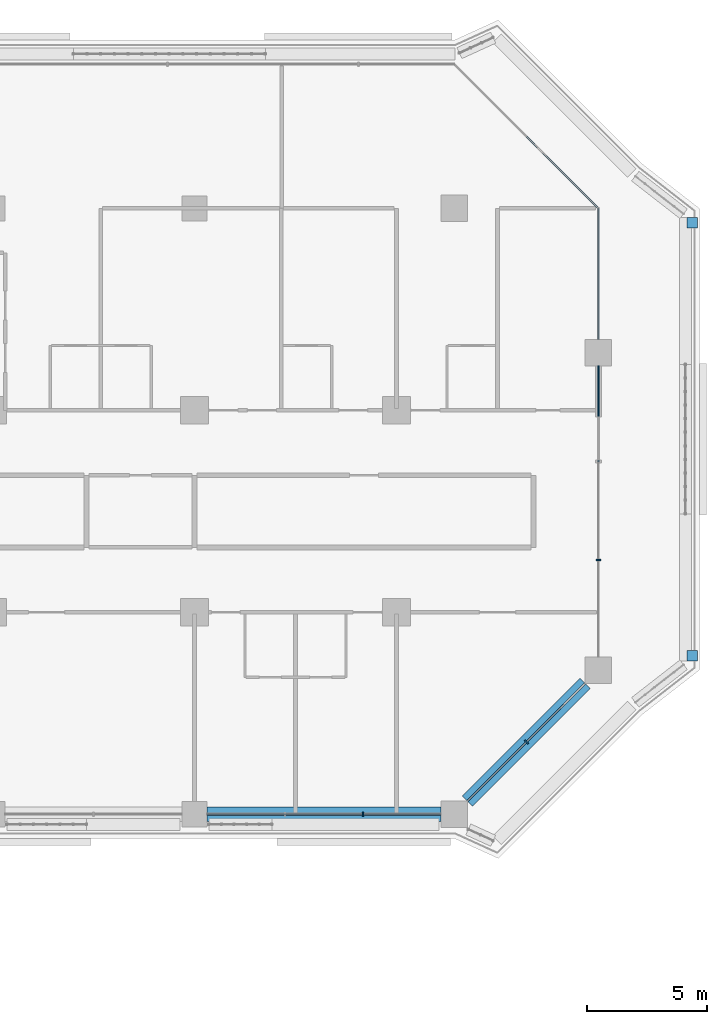
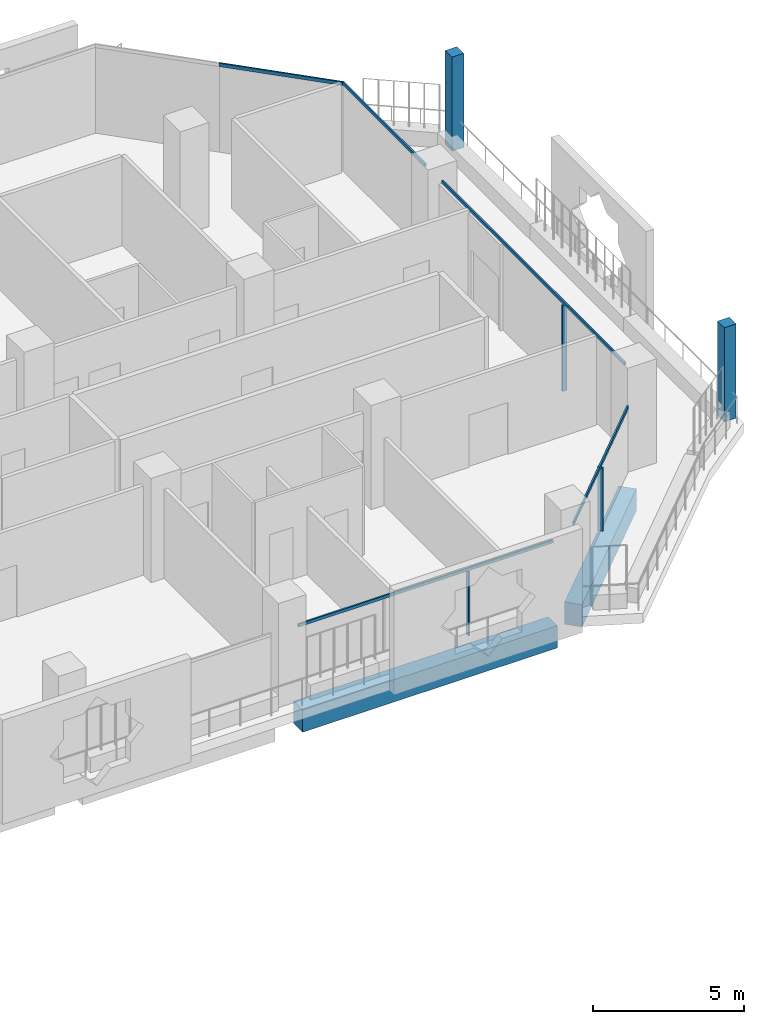
# One storey, part 7 of 25: 10 members, 2 beams, 5 elements without a shape of their own.
"""IFC4 building model written with IfcOpenShell, lengths in metres."""

from ifc_helpers import new_model, si_unit, direction, frame, origin, origin_2d, place, context, subcontext, project, spatial, rectangle, extrude, material, layer, layer_set, material_profile, profile_set, type_object, element, aggregate, save


model = new_model("IFC4")

# Units and contexts
model_context = context("Model", 3, precision=1e-05, world=origin(), true_north=direction((0.0, 1.0)))
body_context = subcontext(model_context, "Body", "Model", "MODEL_VIEW")
ifc_project = project(units=[si_unit("LENGTHUNIT", "METRE"), si_unit("AREAUNIT", "SQUARE_METRE"), si_unit("VOLUMEUNIT", "CUBIC_METRE"), si_unit("PLANEANGLEUNIT", "RADIAN"), si_unit("MASSUNIT", "GRAM", prefix="KILO")], contexts=[model_context])

# Site, building, storey
site_placement = place(None, origin())
site = spatial("IfcSite", under=ifc_project, at=site_placement, CompositionType="ELEMENT")
building_placement = place(site_placement, origin())
building = spatial("IfcBuilding", under=site, at=building_placement, Name="Kawkab Arch Medical Tower", CompositionType="ELEMENT")
storey_placement = place(building_placement, frame((0.0, 0.0, 128.199951171875)))
storey = spatial("IfcBuildingStorey", under=building, at=storey_placement, Name="L29", CompositionType="ELEMENT", Elevation=128.199951171875)

# Curtain wall, member
ifc_material_1 = material(Name="Bronze anodised aluminium curtain wall frame", Category="aluminium")
ifc_layer_1 = layer(ifc_material_1, 0.159912109375)
ifc_layer_set_1 = layer_set([ifc_layer_1], Name="Bronze anodised aluminium curtain wall frame")
curtain_wall_type_1 = type_object("IfcCurtainWallType", Name="CW1 ward curtain wall", PredefinedType="NOTDEFINED", material=ifc_layer_set_1)
placement = place(storey_placement, origin())
curtain_wall_1 = element("IfcCurtainWall", 1, at=placement, inside=storey, type_object=curtain_wall_type_1, Name="CW1 Ward curtain wall R07", PredefinedType="NOTDEFINED")
ifc_material_2 = material(Name="Bronze anodised aluminium curtain wall frame", Category="aluminium")
ifc_material_profile_1 = material_profile(ifc_material_2, rectangle(XDim=0.179931640625, YDim=0.06005859375, at=origin_2d()), Name="AL 60x180")
ifc_profile_set_1 = profile_set([ifc_material_profile_1], Name="Bronze anodised aluminium curtain wall frame")
member_type_1 = type_object("IfcMemberType", Name="CW1 mullion 60 x 180", PredefinedType="MULLION", material=ifc_profile_set_1)
member_1_placement = place(storey_placement, frame((65.808349609375, -25.199951171875, 0.0), z_axis=(0.0, 0.0, 1.0), x_axis=(0.0, 1.0, 0.0)))
member_1 = element("IfcMember", 2, at=member_1_placement, type_object=member_type_1, Name="CW1 mullion 4.2", PredefinedType="MULLION", context=body_context, shape_type="SweptSolid", body=[
    extrude(rectangle(XDim=0.179931640625, YDim=0.06005859375, at=origin_2d()), origin(), (0.0, 0.0, 1.0), 2.580078125),
])

curtain_wall_2 = element("IfcCurtainWall", 3, at=placement, inside=storey, type_object=curtain_wall_type_1, Name="CW1 Ward curtain wall R09", PredefinedType="NOTDEFINED")
member_2_placement = place(storey_placement, frame((75.60009765625, -14.61669921875, 0.0), z_axis=(0.0, 0.0, 1.0), x_axis=(-1.0, 0.0, 0.0)))
member_2 = element("IfcMember", 4, at=member_2_placement, type_object=member_type_1, Name="CW1 mullion 1.1", PredefinedType="MULLION", context=body_context, shape_type="SweptSolid", body=[
    extrude(rectangle(XDim=0.179931640625, YDim=0.06005859375, at=origin_2d()), origin(), (0.0, 0.0, 1.0), 3.47998046875),
])

# Member
ifc_material_3 = material(Name="Bronze anodised aluminium curtain wall frame", Category="aluminium")
ifc_material_profile_2 = material_profile(ifc_material_3, rectangle(XDim=0.06005859375, YDim=0.1201171875, at=origin_2d()), Name="AL 60x120")
ifc_profile_set_2 = profile_set([ifc_material_profile_2], Name="Bronze anodised aluminium curtain wall frame")
member_type_2 = type_object("IfcMemberType", Name="CW1 transom 120 x 60", PredefinedType="USERDEFINED", material=ifc_profile_set_2)
member_3_placement = place(storey_placement, frame((59.324951171875, -25.199951171875, 2.64013671875), z_axis=(1.0, 0.0, 0.0), x_axis=(0.0, 1.0, 0.0)))
member_3 = element("IfcMember", 5, at=member_3_placement, type_object=member_type_2, Name="CW1 transom 4", ObjectType="TRANSOM", PredefinedType="USERDEFINED", context=body_context, shape_type="SweptSolid", body=[
    extrude(rectangle(XDim=0.06005859375, YDim=0.1201171875, at=origin_2d()), origin(), (0.0, 0.0, 1.0), 9.72509765625),
])

aggregate(curtain_wall_1, [member_3, member_1])

member_4_placement = place(storey_placement, frame((75.60009765625, -18.64990234375, 3.5400390625), z_axis=(0.0, 1.0, 0.0), x_axis=(-1.0, 0.0, 0.0)))
member_4 = element("IfcMember", 6, at=member_4_placement, type_object=member_type_2, Name="CW1 transom 1", ObjectType="TRANSOM", PredefinedType="USERDEFINED", context=body_context, shape_type="SweptSolid", body=[
    extrude(rectangle(XDim=0.06005859375, YDim=0.1201171875, at=origin_2d()), origin(), (0.0, 0.0, 1.0), 12.099853515625),
])

member_5_placement = place(storey_placement, frame((75.60009765625, -5.449951171875, 3.5400390625), z_axis=(0.0, 1.0, 0.0), x_axis=(-1.0, 0.0, 0.0)))
member_5 = element("IfcMember", 7, at=member_5_placement, type_object=member_type_2, Name="CW1 transom 2", ObjectType="TRANSOM", PredefinedType="USERDEFINED", context=body_context, shape_type="SweptSolid", body=[
    extrude(rectangle(XDim=0.06005859375, YDim=0.1201171875, at=origin_2d()), origin(), (0.0, 0.0, 1.0), 5.449951171875),
])

aggregate(curtain_wall_2, [member_4, member_2, member_5])

# Curtain wall, members
ifc_material_4 = material(Name="Bronze anodised aluminium curtain wall frame", Category="aluminium")
ifc_layer_2 = layer(ifc_material_4, 0.159912109375)
ifc_layer_set_2 = layer_set([ifc_layer_2], Name="Bronze anodised aluminium curtain wall frame")
curtain_wall_type_2 = type_object("IfcCurtainWallType", Name="CW2 chamfer curtain wall", PredefinedType="NOTDEFINED", material=ifc_layer_set_2)
curtain_wall_3 = element("IfcCurtainWall", 8, at=placement, inside=storey, type_object=curtain_wall_type_2, Name="CW2 Chamfer curtain wall R08", PredefinedType="NOTDEFINED")
ifc_material_5 = material(Name="Bronze anodised aluminium curtain wall frame", Category="aluminium")
ifc_material_profile_3 = material_profile(ifc_material_5, rectangle(XDim=0.199951171875, YDim=0.06005859375, at=origin_2d()), Name="AL 60x200")
ifc_profile_set_3 = profile_set([ifc_material_profile_3], Name="Bronze anodised aluminium curtain wall frame")
member_type_3 = type_object("IfcMemberType", Name="CW2 mullion 60 x 200", PredefinedType="MULLION", material=ifc_profile_set_3)
member_6_placement = place(storey_placement, frame((72.60009765625, -22.199951171875, 0.0), z_axis=(0.0, 0.0, 1.0), x_axis=(-0.707106781187, 0.707106781187, 0.0)))
member_6 = element("IfcMember", 9, at=member_6_placement, type_object=member_type_3, Name="CW2 mullion 1.1", PredefinedType="MULLION", context=body_context, shape_type="SweptSolid", body=[
    extrude(rectangle(XDim=0.199951171875, YDim=0.06005859375, at=origin_2d()), origin(), (0.0, 0.0, 1.0), 2.56005859375),
])
ifc_material_6 = material(Name="Bronze anodised aluminium curtain wall frame", Category="aluminium")
ifc_material_profile_4 = material_profile(ifc_material_6, rectangle(XDim=0.06005859375, YDim=0.139892578125, at=origin_2d()), Name="AL 60x140")
ifc_profile_set_4 = profile_set([ifc_material_profile_4], Name="Bronze anodised aluminium curtain wall frame")
member_type_4 = type_object("IfcMemberType", Name="CW2 transom 140 x 60", PredefinedType="USERDEFINED", material=ifc_profile_set_4)
member_7_placement = place(storey_placement, frame((70.14990234375, -24.64990234375, 2.630126953125), z_axis=(0.707124396542, 0.707089165393, 0.0), x_axis=(-0.707089165393, 0.707124396542, 0.0)))
member_7 = element("IfcMember", 10, at=member_7_placement, type_object=member_type_4, Name="CW2 transom 1", ObjectType="TRANSOM", PredefinedType="USERDEFINED", context=body_context, shape_type="SweptSolid", body=[
    extrude(rectangle(XDim=0.06005859375, YDim=0.139892578125, at=origin_2d()), origin(), (0.0, 0.0, 1.0), 6.9296875),
])
aggregate(curtain_wall_3, [member_7, member_6])

# Curtain wall, member
curtain_wall_4 = element("IfcCurtainWall", 11, at=placement, inside=storey, type_object=curtain_wall_type_2, Name="CW2 Chamfer curtain wall R10", PredefinedType="NOTDEFINED")
member_8_placement = place(storey_placement, frame((75.60009765625, 0.0, 3.530029296875), z_axis=(-0.707106781187, 0.707106781187, 0.0), x_axis=(-0.707106781187, -0.707106781187, 0.0)))
member_8 = element("IfcMember", 12, at=member_8_placement, type_object=member_type_4, Name="CW2 transom 1", ObjectType="TRANSOM", PredefinedType="USERDEFINED", context=body_context, shape_type="SweptSolid", body=[
    extrude(rectangle(XDim=0.06005859375, YDim=0.139892578125, at=origin_2d()), origin(), (0.0, 0.0, 1.0), 4.24267578125),
])
aggregate(curtain_wall_4, [member_8])

# Curtain wall, members
ifc_material_7 = material(Name="Bronze anodised aluminium climber frame, planted", Category="aluminium")
ifc_layer_3 = layer(ifc_material_7, 0.449951171875)
ifc_layer_set_3 = layer_set([ifc_layer_3], Name="Bronze anodised aluminium climber frame, planted")
curtain_wall_type_3 = type_object("IfcCurtainWallType", Name="Planted climber frame", PredefinedType="NOTDEFINED", material=ifc_layer_set_3)
curtain_wall_5 = element("IfcCurtainWall", 13, at=placement, inside=storey, type_object=curtain_wall_type_3, Name="Planted climber frame L29", PredefinedType="NOTDEFINED")
ifc_material_8 = material(Name="Bronze anodised aluminium climber frame, planted", Category="aluminium")
ifc_material_profile_5 = material_profile(ifc_material_8, rectangle(XDim=0.449951171875, YDim=0.449951171875, at=origin_2d()), Name="Post 450x450")
ifc_profile_set_5 = profile_set([ifc_material_profile_5], Name="Bronze anodised aluminium climber frame, planted")
member_type_5 = type_object("IfcMemberType", Name="Planted climber post 450 x 450", PredefinedType="MULLION", material=ifc_profile_set_5)
member_9_placement = place(storey_placement, frame((79.5, -0.596923828125, 0.0), z_axis=(0.0, 0.0, 1.0), x_axis=(1.0, 0.0, 0.0)))
member_9 = element("IfcMember", 14, at=member_9_placement, type_object=member_type_5, Name="Planted climber post L29.LOG-01-01.3", PredefinedType="MULLION", context=body_context, shape_type="SweptSolid", body=[
    extrude(rectangle(XDim=0.449951171875, YDim=0.449951171875, at=origin_2d()), origin(), (0.0, 0.0, 1.0), 3.800048828125),
])
member_10_placement = place(storey_placement, frame((79.5, -18.60302734375, 0.0), z_axis=(0.0, 0.0, 1.0), x_axis=(1.0, 0.0, 0.0)))
member_10 = element("IfcMember", 15, at=member_10_placement, type_object=member_type_5, Name="Planted climber post L29.LOG-01-01.4", PredefinedType="MULLION", context=body_context, shape_type="SweptSolid", body=[
    extrude(rectangle(XDim=0.449951171875, YDim=0.449951171875, at=origin_2d()), origin(), (0.0, 0.0, 1.0), 3.800048828125),
])
aggregate(curtain_wall_5, [member_9, member_10])

# Beams
ifc_material_9 = material(Name="Concrete C55/67", Category="concrete")
ifc_material_profile_6 = material_profile(ifc_material_9, rectangle(XDim=0.60009765625, YDim=0.89990234375, at=origin_2d()), Name="RC 600x900")
ifc_profile_set_6 = profile_set([ifc_material_profile_6], Name="Concrete C55/67")
beam_type = type_object("IfcBeamType", Name="RC 600x900 beam C55/67", PredefinedType="BEAM", material=ifc_profile_set_6)
beam_1_placement = place(storey_placement, frame((75.050048828125, -19.75, -1.050048828125), z_axis=(-0.707124396542, -0.707089165393, 0.0), x_axis=(0.707089165393, -0.707124396542, 0.0)))
element("IfcBeam", 16, at=beam_1_placement, inside=storey, type_object=beam_type, Name="Overhang edge beam L29-01", PredefinedType="BEAM", context=body_context, shape_type="SweptSolid", body=[
    extrude(rectangle(XDim=0.60009765625, YDim=0.89990234375, at=origin_2d()), origin(), (0.0, 0.0, 1.0), 6.9296875),
])
beam_2_placement = place(storey_placement, frame((69.050048828125, -25.199951171875, -1.050048828125), z_axis=(-1.0, 0.0, 0.0), x_axis=(0.0, -1.0, 0.0)))
element("IfcBeam", 17, at=beam_2_placement, inside=storey, type_object=beam_type, Name="Overhang edge beam L29-02", PredefinedType="BEAM", context=body_context, shape_type="SweptSolid", body=[
    extrude(rectangle(XDim=0.60009765625, YDim=0.89990234375, at=origin_2d()), origin(), (0.0, 0.0, 1.0), 9.72509765625),
])

save(model, "model.ifc")
